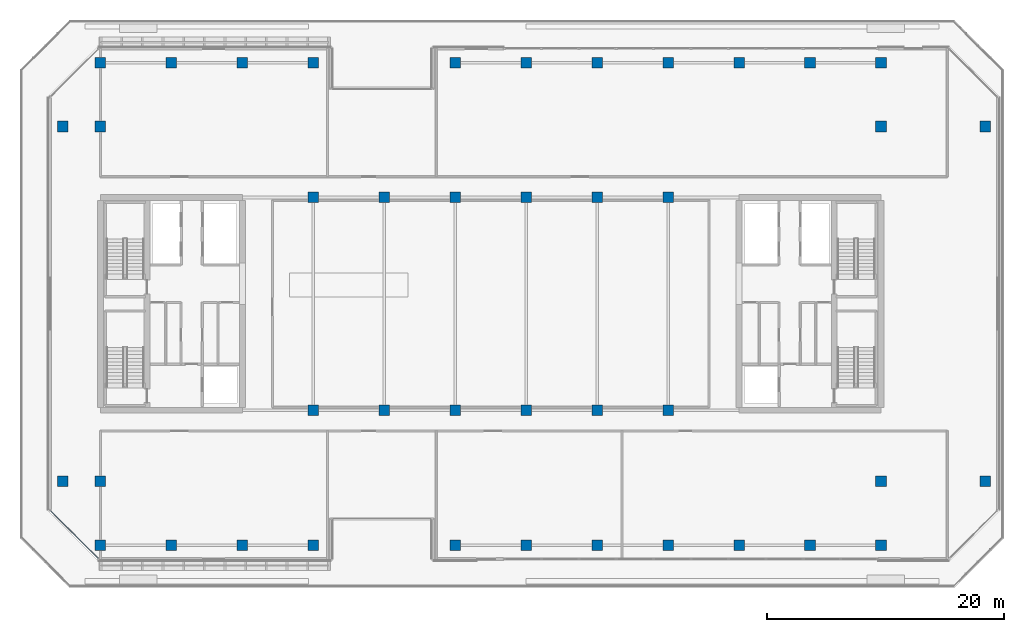
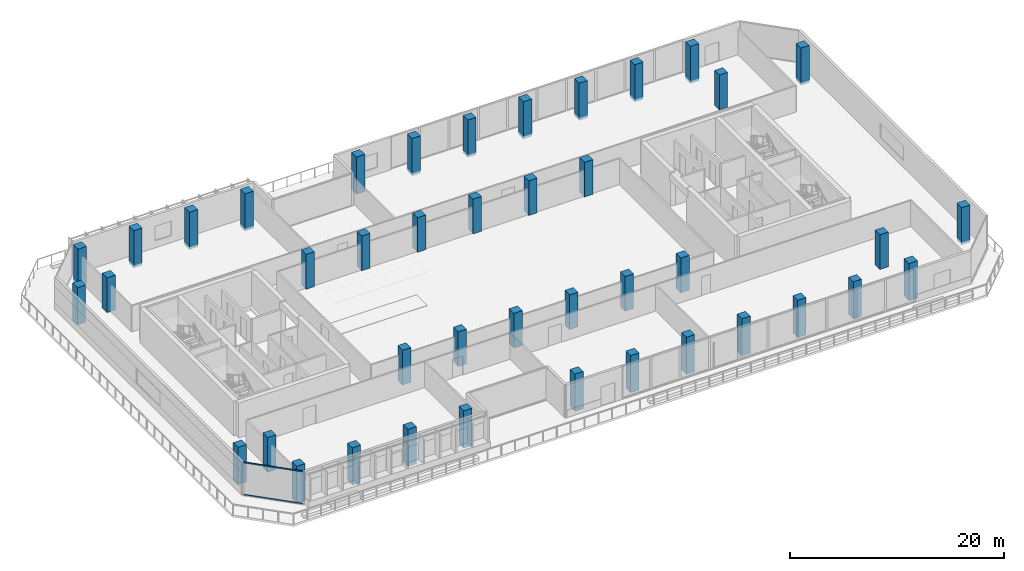
# One storey, part 1 of 30: 42 columns, 2 members, 1 element without a shape of its own.
"""IFC4 building model written with IfcOpenShell, lengths in metres."""

from ifc_helpers import new_model, si_unit, direction, frame, origin, origin_2d, place, context, subcontext, project, spatial, rectangle, hollow_rectangle, extrude, material, layer, layer_set, material_profile, profile_set, type_object, element, aggregate, save


model = new_model("IFC4")

# Units and contexts
model_context = context("Model", 3, precision=1e-05, world=origin(), true_north=direction((0.0, 1.0)))
body_context = subcontext(model_context, "Body", "Model", "MODEL_VIEW")
ifc_project = project(units=[si_unit("LENGTHUNIT", "METRE"), si_unit("AREAUNIT", "SQUARE_METRE"), si_unit("VOLUMEUNIT", "CUBIC_METRE"), si_unit("PLANEANGLEUNIT", "RADIAN"), si_unit("MASSUNIT", "GRAM", prefix="KILO")], contexts=[model_context])

# Site, building, storey
site_placement = place(None, origin())
site = spatial("IfcSite", under=ifc_project, at=site_placement, CompositionType="ELEMENT")
building_placement = place(site_placement, origin())
building = spatial("IfcBuilding", under=site, at=building_placement, Name="Tanjung Sevakor Pilgrim Tower", CompositionType="ELEMENT")
storey_placement = place(building_placement, frame((0.0, 0.0, 128.0400390625)))
storey = spatial("IfcBuildingStorey", under=building, at=storey_placement, Name="L35", CompositionType="ELEMENT", Elevation=128.0400390625)

# Columns
ifc_material_1 = material(Name="Concrete C60/75", Category="concrete")
ifc_material_profile_1 = material_profile(ifc_material_1, rectangle(XDim=0.89990234375, YDim=0.89990234375, at=origin_2d()))
ifc_profile_set_1 = profile_set([ifc_material_profile_1], Name="Concrete C60/75")
column_type = type_object("IfcColumnType", Name="COL-C-T900-RC_900x900", PredefinedType="COLUMN", material=ifc_profile_set_1)
for number, where, z_axis, x_axis, name in (
    (1, (42.0, 24.60009765625, 0.0), (0.0, 0.0, 1.0), (1.0, 0.0, 0.0), "L35 Column SPW-042-246"),
    (2, (42.0, 42.60009765625, 0.0), (0.0, 0.0, 1.0), (1.0, 0.0, 0.0), "L35 Column SPW-042-426"),
    (3, (48.0, 24.60009765625, 0.0), (0.0, 0.0, 1.0), (1.0, 0.0, 0.0), "L35 Column SPW-048-246"),
    (4, (48.0, 42.60009765625, 0.0), (0.0, 0.0, 1.0), (1.0, 0.0, 0.0), "L35 Column SPW-048-426"),
    (5, (54.0, 24.60009765625, 0.0), (0.0, 0.0, 1.0), (1.0, 0.0, 0.0), "L35 Column SPE-054-246"),
    (6, (54.0, 42.60009765625, 0.0), (0.0, 0.0, 1.0), (1.0, 0.0, 0.0), "L35 Column SPE-054-426"),
    (7, (60.0, 24.60009765625, 0.0), (0.0, 0.0, 1.0), (1.0, 0.0, 0.0), "L35 Column SPE-060-246"),
    (8, (60.0, 42.60009765625, 0.0), (0.0, 0.0, 1.0), (1.0, 0.0, 0.0), "L35 Column SPE-060-426"),
    (9, (66.0, 24.60009765625, 0.0), (0.0, 0.0, 1.0), (1.0, 0.0, 0.0), "L35 Column SPE-066-246"),
    (10, (66.0, 42.60009765625, 0.0), (0.0, 0.0, 1.0), (1.0, 0.0, 0.0), "L35 Column SPE-066-426"),
    (11, (72.0, 24.60009765625, 0.0), (0.0, 0.0, 1.0), (1.0, 0.0, 0.0), "L35 Column SPE-072-246"),
    (12, (72.0, 42.60009765625, 0.0), (0.0, 0.0, 1.0), (1.0, 0.0, 0.0), "L35 Column SPE-072-426"),
):
    element("IfcColumn", number, at=place(storey_placement, frame(where, z_axis=z_axis, x_axis=x_axis)), inside=storey, type_object=column_type, Name=name, PredefinedType="COLUMN", context=body_context, shape_type="SweptSolid", body=[
        extrude(rectangle(XDim=0.89990234375, YDim=0.89990234375, at=origin_2d()), origin(), (0.0, 0.0, 1.0), 3.9599609375),
    ])
for number, where, z_axis, x_axis, name in (
    (13, (20.800048828125, 18.60009765625, -0.280029296875), (0.0, 0.0, 1.0), (1.0, 0.0, 0.0), "L35 Column TCE-0208-186"),
    (14, (20.800048828125, 48.60009765625, -0.280029296875), (0.0, 0.0, 1.0), (1.0, 0.0, 0.0), "L35 Column TCE-0208-486"),
):
    element("IfcColumn", number, at=place(storey_placement, frame(where, z_axis=z_axis, x_axis=x_axis)), inside=storey, type_object=column_type, Name=name, PredefinedType="COLUMN", context=body_context, shape_type="SweptSolid", body=[
        extrude(rectangle(XDim=0.89990234375, YDim=0.89990234375, at=origin_2d()), origin(), (0.0, 0.0, 1.0), 4.239990234375),
    ])
for number, where, z_axis, x_axis, name in (
    (15, (24.0, 18.60009765625, 0.0), (0.0, 0.0, 1.0), (1.0, 0.0, 0.0), "L35 Column TCE-0240-186"),
    (16, (24.0, 48.60009765625, 0.0), (0.0, 0.0, 1.0), (1.0, 0.0, 0.0), "L35 Column TCE-0240-486"),
    (17, (90.0, 18.60009765625, 0.0), (0.0, 0.0, 1.0), (1.0, 0.0, 0.0), "L35 Column TCE-0900-186"),
    (18, (90.0, 48.60009765625, 0.0), (0.0, 0.0, 1.0), (1.0, 0.0, 0.0), "L35 Column TCE-0900-486"),
):
    element("IfcColumn", number, at=place(storey_placement, frame(where, z_axis=z_axis, x_axis=x_axis)), inside=storey, type_object=column_type, Name=name, PredefinedType="COLUMN", context=body_context, shape_type="SweptSolid", body=[
        extrude(rectangle(XDim=0.89990234375, YDim=0.89990234375, at=origin_2d()), origin(), (0.0, 0.0, 1.0), 3.9599609375),
    ])
for number, where, z_axis, x_axis, name in (
    (19, (98.800048828125, 18.60009765625, -0.280029296875), (0.0, 0.0, 1.0), (1.0, 0.0, 0.0), "L35 Column TCE-0988-186"),
    (20, (98.800048828125, 48.60009765625, -0.280029296875), (0.0, 0.0, 1.0), (1.0, 0.0, 0.0), "L35 Column TCE-0988-486"),
    (21, (24.0, 13.199951171875, -0.280029296875), (0.0, 0.0, 1.0), (1.0, 0.0, 0.0), "L35 Column TC3-024-132"),
    (22, (24.0, 54.0, -0.280029296875), (0.0, 0.0, 1.0), (1.0, 0.0, 0.0), "L35 Column TC3-024-540"),
    (23, (30.0, 13.199951171875, -0.280029296875), (0.0, 0.0, 1.0), (1.0, 0.0, 0.0), "L35 Column TC3-030-132"),
    (24, (30.0, 54.0, -0.280029296875), (0.0, 0.0, 1.0), (1.0, 0.0, 0.0), "L35 Column TC3-030-540"),
    (25, (36.0, 13.199951171875, -0.280029296875), (0.0, 0.0, 1.0), (1.0, 0.0, 0.0), "L35 Column TC3-036-132"),
    (26, (36.0, 54.0, -0.280029296875), (0.0, 0.0, 1.0), (1.0, 0.0, 0.0), "L35 Column TC3-036-540"),
    (27, (42.0, 13.199951171875, -0.280029296875), (0.0, 0.0, 1.0), (1.0, 0.0, 0.0), "L35 Column TC3-042-132"),
    (28, (42.0, 54.0, -0.280029296875), (0.0, 0.0, 1.0), (1.0, 0.0, 0.0), "L35 Column TC3-042-540"),
    (29, (54.0, 13.199951171875, -0.280029296875), (0.0, 0.0, 1.0), (1.0, 0.0, 0.0), "L35 Column TC3-054-132"),
    (30, (54.0, 54.0, -0.280029296875), (0.0, 0.0, 1.0), (1.0, 0.0, 0.0), "L35 Column TC3-054-540"),
    (31, (60.0, 13.199951171875, -0.280029296875), (0.0, 0.0, 1.0), (1.0, 0.0, 0.0), "L35 Column TC3-060-132"),
    (32, (60.0, 54.0, -0.280029296875), (0.0, 0.0, 1.0), (1.0, 0.0, 0.0), "L35 Column TC3-060-540"),
    (33, (66.0, 13.199951171875, -0.280029296875), (0.0, 0.0, 1.0), (1.0, 0.0, 0.0), "L35 Column TC3-066-132"),
    (34, (66.0, 54.0, -0.280029296875), (0.0, 0.0, 1.0), (1.0, 0.0, 0.0), "L35 Column TC3-066-540"),
    (35, (72.0, 13.199951171875, -0.280029296875), (0.0, 0.0, 1.0), (1.0, 0.0, 0.0), "L35 Column TC3-072-132"),
    (36, (72.0, 54.0, -0.280029296875), (0.0, 0.0, 1.0), (1.0, 0.0, 0.0), "L35 Column TC3-072-540"),
    (37, (78.0, 13.199951171875, -0.280029296875), (0.0, 0.0, 1.0), (1.0, 0.0, 0.0), "L35 Column TC3-078-132"),
    (38, (78.0, 54.0, -0.280029296875), (0.0, 0.0, 1.0), (1.0, 0.0, 0.0), "L35 Column TC3-078-540"),
    (39, (84.0, 13.199951171875, -0.280029296875), (0.0, 0.0, 1.0), (1.0, 0.0, 0.0), "L35 Column TC3-084-132"),
    (40, (84.0, 54.0, -0.280029296875), (0.0, 0.0, 1.0), (1.0, 0.0, 0.0), "L35 Column TC3-084-540"),
    (41, (90.0, 13.199951171875, -0.280029296875), (0.0, 0.0, 1.0), (1.0, 0.0, 0.0), "L35 Column TC3-090-132"),
    (42, (90.0, 54.0, -0.280029296875), (0.0, 0.0, 1.0), (1.0, 0.0, 0.0), "L35 Column TC3-090-540"),
):
    element("IfcColumn", number, at=place(storey_placement, frame(where, z_axis=z_axis, x_axis=x_axis)), inside=storey, type_object=column_type, Name=name, PredefinedType="COLUMN", context=body_context, shape_type="SweptSolid", body=[
        extrude(rectangle(XDim=0.89990234375, YDim=0.89990234375, at=origin_2d()), origin(), (0.0, 0.0, 1.0), 4.239990234375),
    ])

# Curtain wall, members
ifc_material_2 = material(Name="Aluminium 6063-T6 and Low-E Glass", Category="aluminium")
ifc_layer = layer(ifc_material_2, 0.179931640625)
ifc_layer_set = layer_set([ifc_layer], Name="CW-SYS-CHAM")
curtain_wall_type = type_object("IfcCurtainWallType", Name="CW-SYS-CHAM", PredefinedType="NOTDEFINED", material=ifc_layer_set)
curtain_wall_placement = place(storey_placement, origin())
curtain_wall = element("IfcCurtainWall", 43, at=curtain_wall_placement, inside=storey, type_object=curtain_wall_type, Name="L35 Curtain Wall CW-CHM-L35-MAIN-15", PredefinedType="NOTDEFINED")
ifc_material_3 = material(Name="Aluminium 6063-T6", Category="aluminium")
ifc_material_profile_2 = material_profile(ifc_material_3, hollow_rectangle(XDim=0.06494140625, YDim=0.139892578125, WallThickness=0.00390625, at=origin_2d()))
ifc_profile_set_2 = profile_set([ifc_material_profile_2], Name="Aluminium 6063-T6")
member_type = type_object("IfcMemberType", Name="TYPE-CWT-1", PredefinedType="USERDEFINED", material=ifc_profile_set_2)
member_1_placement = place(storey_placement, frame((19.77099609375, 16.10595703125, 0.032470703125), z_axis=(0.707106781187, -0.707106781187, 0.0), x_axis=(0.707106781187, 0.707106781187, 0.0)))
member_1 = element("IfcMember", 44, at=member_1_placement, type_object=member_type, Name="CW-CHM transom 1.1", ObjectType="TRANSOM", PredefinedType="USERDEFINED", context=body_context, shape_type="SweptSolid", body=[
    extrude(hollow_rectangle(XDim=0.06494140625, YDim=0.139892578125, WallThickness=0.00390625, at=origin_2d()), origin(), (0.0, 0.0, 1.0), 5.706298828125),
])
member_2_placement = place(storey_placement, frame((19.77099609375, 16.10595703125, 3.70751953125), z_axis=(0.707106781187, -0.707106781187, 0.0), x_axis=(0.707106781187, 0.707106781187, 0.0)))
member_2 = element("IfcMember", 45, at=member_2_placement, type_object=member_type, Name="CW-CHM transom 1.2", ObjectType="TRANSOM", PredefinedType="USERDEFINED", context=body_context, shape_type="SweptSolid", body=[
    extrude(hollow_rectangle(XDim=0.06494140625, YDim=0.139892578125, WallThickness=0.00390625, at=origin_2d()), origin(), (0.0, 0.0, 1.0), 5.706298828125),
])
aggregate(curtain_wall, [member_1, member_2])

save(model, "model.ifc")
